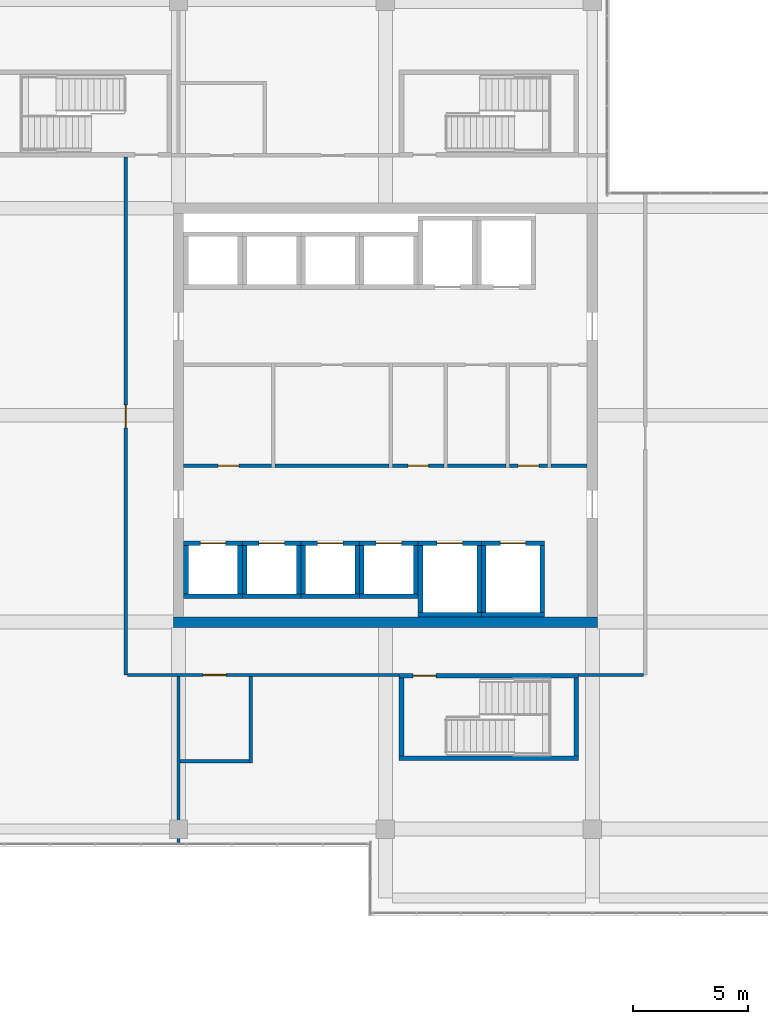
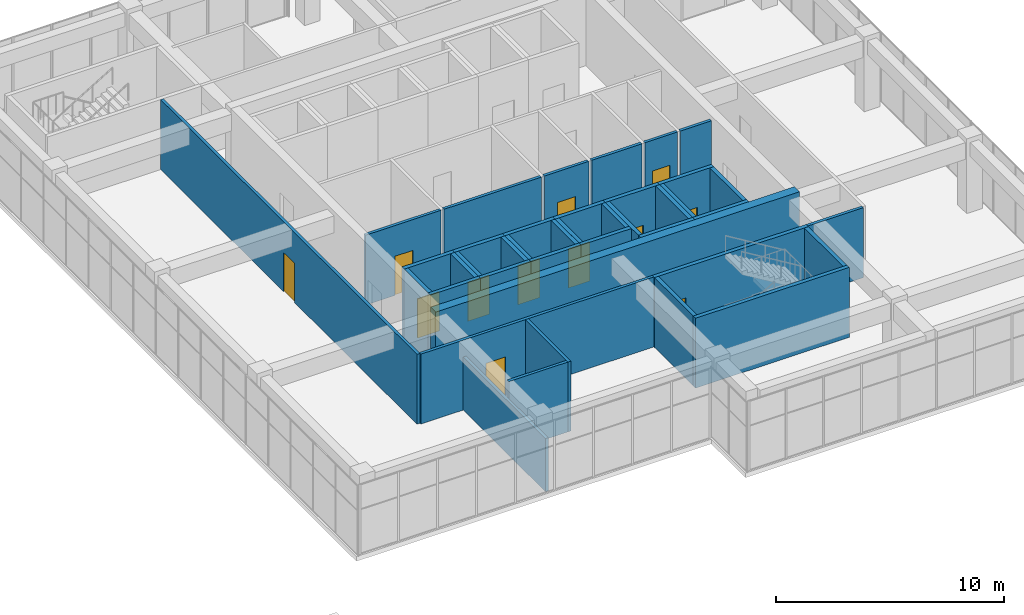
# One storey, part 49 of 55: 41 walls, 12 doors, 12 openings.
"""IFC4 building model written with IfcOpenShell, lengths in metres."""

import ifcopenshell
import ifcopenshell.guid

model = None  # the IFC model being written
_history = None  # IfcOwnerHistory: only IFC2X3 demands one
_inside = {}  # id of a spatial element -> (the spatial element, [elements in it])
_under = {}  # id of a project, library or spatial element -> (it, [spatial elements below it])
_declared = {}  # id of a project -> (the project, [libraries it declares])
_typed = {}  # id of a type object -> (the type object, [elements of that type])
_made_of = {}  # id of a material, layer set ... -> (it, [elements and type objects made of it])


def new_model(schema):
    """Start an empty IFC model of exactly this schema.

    Asked for "IFC4X3", IfcOpenShell would pick the latest addendum, in which some entities
    have other attributes; the version numbers below select the first issue.
    IFC2X3 requires an IfcOwnerHistory on every rooted entity: one is made here for all.
    """
    global model, _history
    if schema == "IFC4X3":
        model = ifcopenshell.file(schema_version=(4, 3, 0, 0))
    else:
        model = ifcopenshell.file(schema=schema)
    _inside.clear()
    _under.clear()
    _declared.clear()
    _typed.clear()
    _made_of.clear()
    _history = None
    if model.schema == "IFC2X3":
        org = make("IfcOrganization", Name="unknown")
        user = make(
            "IfcPersonAndOrganization",
            ThePerson=make("IfcPerson", FamilyName="unknown"),
            TheOrganization=org,
        )
        app = make(
            "IfcApplication",
            ApplicationDeveloper=org,
            Version="unknown",
            ApplicationFullName="unknown",
            ApplicationIdentifier="unknown",
        )
        _history = make(
            "IfcOwnerHistory",
            OwningUser=user,
            OwningApplication=app,
            ChangeAction="ADDED",
            CreationDate=0,
        )
    return model


def make(cls, **values):
    """One entity of the class cls with the attributes given. An attribute that is None is left unset."""
    return model.create_entity(
        cls, **{name: value for name, value in values.items() if value is not None}
    )


def rooted(cls, **values):
    """An entity with a GlobalId (a new one), such as an element, a storey or a relation."""
    return make(cls, GlobalId=ifcopenshell.guid.new(), OwnerHistory=_history, **values)


def si_unit(unit_type, name, prefix=None):
    """IfcSIUnit, for example si_unit("LENGTHUNIT", "METRE", prefix="MILLI")."""
    return make("IfcSIUnit", UnitType=unit_type, Prefix=prefix, Name=name)


def assignment(units):
    """IfcUnitAssignment: the units of a project."""
    return None if units is None else make("IfcUnitAssignment", Units=units)


def point(xyz):
    """IfcCartesianPoint."""
    return None if xyz is None else make("IfcCartesianPoint", Coordinates=xyz)


def direction(xyz):
    """IfcDirection."""
    return None if xyz is None else make("IfcDirection", DirectionRatios=xyz)


def frame(location, z_axis=None, x_axis=None):
    """IfcAxis2Placement3D, a coordinate frame: its origin and axes. An axis left out is left unset."""
    return make(
        "IfcAxis2Placement3D",
        Location=point(location),
        Axis=direction(z_axis),
        RefDirection=direction(x_axis),
    )


def frame_2d(location, x_axis=None):
    """IfcAxis2Placement2D, a coordinate frame in the plane: its origin and x axis."""
    return make(
        "IfcAxis2Placement2D", Location=point(location), RefDirection=direction(x_axis)
    )


def origin():
    """The frame at (0, 0, 0) with its axes left unset."""
    return frame((0.0, 0.0, 0.0))


def place(relative_to, where):
    """IfcLocalPlacement: puts the frame where relative to a parent placement (None: the world)."""
    return make(
        "IfcLocalPlacement", PlacementRelTo=relative_to, RelativePlacement=where
    )


def context(
    kind, dimensions, precision=None, world=None, true_north=None, identifier=None
):
    """IfcGeometricRepresentationContext, for example the 3D "Model" context."""
    return make(
        "IfcGeometricRepresentationContext",
        ContextIdentifier=identifier,
        ContextType=kind,
        CoordinateSpaceDimension=dimensions,
        Precision=precision,
        WorldCoordinateSystem=world,
        TrueNorth=true_north,
    )


def subcontext(parent, identifier, kind, view, scale=None):
    """IfcGeometricRepresentationSubContext, for example "Body" below "Model"."""
    return make(
        "IfcGeometricRepresentationSubContext",
        ContextIdentifier=identifier,
        ContextType=kind,
        ParentContext=parent,
        TargetScale=scale,
        TargetView=view,
    )


def project(units=None, contexts=None):
    """IfcProject with its units and contexts."""
    return rooted(
        "IfcProject",
        Name="project",
        RepresentationContexts=contexts,
        UnitsInContext=assignment(units),
    )


def spatial(cls, under=None, at=None, **own):
    """A site, building, storey or space (cls), placed at a placement, below another one or the project."""
    s = rooted(cls, ObjectPlacement=at, **own)
    if under is not None:
        _under.setdefault(under.id(), (under, []))[1].append(s)
    return s


def profile(cls, at=None, kind="AREA", **sizes):
    """A parametric profile (cls). Its sizes go by their IFC names, for example OverallWidth=200.0."""
    return make(cls, ProfileType=kind, Position=at, **sizes)


def rectangle(**sizes):
    """IfcRectangleProfileDef."""
    return profile("IfcRectangleProfileDef", **sizes)


def extrude(swept, where, along, depth):
    """IfcExtrudedAreaSolid: the profile swept, set in the frame where, extruded along a direction by depth."""
    return make(
        "IfcExtrudedAreaSolid",
        SweptArea=swept,
        Position=where,
        ExtrudedDirection=direction(along),
        Depth=depth,
    )


def shape(context_of_items, identifier, shape_type, items):
    """IfcShapeRepresentation: the items that make up one representation, for example the "Body"."""
    return make(
        "IfcShapeRepresentation",
        ContextOfItems=context_of_items,
        RepresentationIdentifier=identifier,
        RepresentationType=shape_type,
        Items=items,
    )


def material(Name=None, Category=None):
    """IfcMaterial."""
    return make("IfcMaterial", Name=Name, Category=Category)


def layer(
    of_material, thickness, ventilated=None, Name=None, Category=None, Priority=None
):
    """IfcMaterialLayer: one layer of a wall or slab, of a material (None: an air gap)."""
    return make(
        "IfcMaterialLayer",
        Material=of_material,
        LayerThickness=thickness,
        IsVentilated=ventilated,
        Name=Name,
        Category=Category,
        Priority=Priority,
    )


def layer_set(layers, Name=None):
    """IfcMaterialLayerSet."""
    return make("IfcMaterialLayerSet", MaterialLayers=layers, LayerSetName=Name)


def made_of(thing, what):
    """Note that an element or type object is made of a material, layer set ...; save() writes the relation."""
    if what is not None:
        _made_of.setdefault(what.id(), (what, []))[1].append(thing)
    return thing


def type_object(cls, material=None, **own):
    """A type object (cls), such as IfcWallType, which elements share."""
    return made_of(rooted(cls, **own), material)


def element(
    cls,
    number,
    at=None,
    inside=None,
    cuts=None,
    type_object=None,
    material=None,
    context=None,
    identifier="Body",
    shape_type=None,
    held_by="IfcProductDefinitionShape",
    body=None,
    shapes=None,
    **own,
):
    """One element of the class cls, such as IfcWall. Its Tag is "e" and its number.

    at: its placement. inside: the storey or other place that contains it. cuts: it is an
    opening in that element (IfcRelVoidsElement). A single representation is given by context,
    identifier, shape_type and body (its items); several are given by shapes. held_by: the class
    of the entity that holds the representations. save() writes the other relations.
    """
    e = rooted(cls, Tag="e%d" % number, ObjectPlacement=at, **own)
    if body is not None:
        shapes = [shape(context, identifier, shape_type, body)]
    if shapes is not None:
        e.Representation = make(held_by, Representations=shapes)
    if inside is not None:
        _inside.setdefault(inside.id(), (inside, []))[1].append(e)
    if cuts is not None:
        rooted(
            "IfcRelVoidsElement", RelatingBuildingElement=cuts, RelatedOpeningElement=e
        )
    if type_object is not None:
        _typed.setdefault(type_object.id(), (type_object, []))[1].append(e)
    return made_of(e, material)


def fill(opening, filler):
    """IfcRelFillsElement: the door or window that sits in an opening."""
    return rooted(
        "IfcRelFillsElement",
        RelatingOpeningElement=opening,
        RelatedBuildingElement=filler,
    )


def aggregate(whole, parts):
    """IfcRelAggregates: a whole, such as a stair, and the parts it consists of."""
    return rooted("IfcRelAggregates", RelatingObject=whole, RelatedObjects=parts)


def save(model, path):
    """Write the relations noted so far, then the file.

    IfcRelAggregates (storeys below a building ...), IfcRelContainedInSpatialStructure (elements
    in a storey), IfcRelDefinesByType, IfcRelAssociatesMaterial and IfcRelDeclares: one each for
    every whole, place, type object, material and project.
    """
    for whole, parts in _under.values():
        aggregate(whole, parts)
    for where, things in _inside.values():
        rooted(
            "IfcRelContainedInSpatialStructure",
            RelatedElements=things,
            RelatingStructure=where,
        )
    for kind, things in _typed.values():
        rooted("IfcRelDefinesByType", RelatedObjects=things, RelatingType=kind)
    for what, things in _made_of.values():
        rooted("IfcRelAssociatesMaterial", RelatedObjects=things, RelatingMaterial=what)
    for by, libraries in _declared.values():
        rooted("IfcRelDeclares", RelatingContext=by, RelatedDefinitions=libraries)
    model.write(path)


model = new_model("IFC4")

# Units and contexts
model_context = context("Model", 3, precision=1e-05, world=origin(), true_north=direction((0.0, 1.0)))
body_context = subcontext(model_context, "Body", "Model", "MODEL_VIEW")
ifc_project = project(units=[si_unit("LENGTHUNIT", "METRE"), si_unit("AREAUNIT", "SQUARE_METRE"), si_unit("VOLUMEUNIT", "CUBIC_METRE"), si_unit("PLANEANGLEUNIT", "RADIAN"), si_unit("MASSUNIT", "GRAM", prefix="KILO")], contexts=[model_context])

# Site, building, storey
site_placement = place(None, origin())
site = spatial("IfcSite", under=ifc_project, at=site_placement, CompositionType="ELEMENT")
building_placement = place(site_placement, origin())
building = spatial("IfcBuilding", under=site, at=building_placement, Name="Tuart Plaza Theatre", CompositionType="ELEMENT")
storey_placement = place(building_placement, frame((0.0, 0.0, 21.5)))
storey = spatial("IfcBuildingStorey", under=building, at=storey_placement, Name="L05", CompositionType="ELEMENT", Elevation=21.5)

# Wall, opening, door
ifc_material_1 = material(Name="Masonry block", Category="masonry")
ifc_layer_1 = layer(ifc_material_1, 0.14990234375)
ifc_layer_set_1 = layer_set([ifc_layer_1], Name="PARTITION BLK150 MASONRYB FRL -/120/120")
wall_type_1 = type_object("IfcWallType", Name="PARTITION BLK150 MASONRYB FRL -/120/120", PredefinedType="PARTITIONING", material=ifc_layer_set_1)
wall_1_placement = place(storey_placement, frame((123.22509765625, 71.800048828125, 0.0), z_axis=(0.0, 0.0, 1.0), x_axis=(1.0, 0.0, 0.0)))
wall_1 = element("IfcWall", 1, at=wall_1_placement, inside=storey, type_object=wall_type_1, Name="P608", PredefinedType="PARTITIONING", context=body_context, shape_type="SweptSolid", body=[
    extrude(rectangle(XDim=3.824951171875, YDim=0.14990234375, at=frame_2d((1.91259765625, 0.0))), origin(), (0.0, 0.0, 1.0), 3.75),
])
opening_1_placement = place(wall_1_placement, frame((1.5, 0.0, 0.0)))
opening_1 = element("IfcOpeningElement", 2, at=opening_1_placement, cuts=wall_1, Name="Opening L05-018", PredefinedType="OPENING", context=body_context, shape_type="SweptSolid", body=[
    extrude(rectangle(XDim=0.89990234375, YDim=2.10009765625, at=frame_2d((0.449951171875, 1.050048828125))), frame((0.0, 0.0849609375, 0.0), z_axis=(0.0, -1.0, 0.0), x_axis=(1.0, 0.0, 0.0)), (0.0, 0.0, 1.0), 0.169921875),
])
ifc_material_2 = material(Name="Steel Grade 300", Category="steel")
door_type_1 = type_object("IfcDoorType", Name="DOOR 900x2100 steel single swing FRL -/120/30", OperationType="SINGLE_SWING_LEFT", PredefinedType="DOOR", material=ifc_material_2)
door_1_placement = place(opening_1_placement, origin())
door_1 = element("IfcDoor", 3, at=door_1_placement, inside=storey, type_object=door_type_1, Name="L05-018", OperationType="SINGLE_SWING_LEFT", OverallHeight=2.10009765625, OverallWidth=0.89990234375, PredefinedType="DOOR", context=body_context, shape_type="SweptSolid", body=[
    extrude(rectangle(XDim=0.89990234375, YDim=2.10009765625, at=frame_2d((0.449951171875, 1.050048828125))), frame((0.0, 0.02490234375, 0.0), z_axis=(0.0, -1.0, 0.0), x_axis=(1.0, 0.0, 0.0)), (0.0, 0.0, 1.0), 0.050048828125),
])
fill(opening_1, door_1)

# Wall
wall_2_placement = place(storey_placement, frame((127.199951171875, 71.800048828125, 0.0), z_axis=(0.0, 0.0, 1.0), x_axis=(1.0, 0.0, 0.0)))
element("IfcWall", 4, at=wall_2_placement, inside=storey, type_object=wall_type_1, Name="P611", PredefinedType="PARTITIONING", context=body_context, shape_type="SweptSolid", body=[
    extrude(rectangle(XDim=4.949951171875, YDim=0.14990234375, at=frame_2d((2.47509765625, 0.0))), origin(), (0.0, 0.0, 1.0), 3.75),
])

# Wall, opening, door
wall_3_placement = place(storey_placement, frame((132.300048828125, 71.800048828125, 0.0), z_axis=(0.0, 0.0, 1.0), x_axis=(1.0, 0.0, 0.0)))
wall_3 = element("IfcWall", 5, at=wall_3_placement, inside=storey, type_object=wall_type_1, Name="P614", PredefinedType="PARTITIONING", context=body_context, shape_type="SweptSolid", body=[
    extrude(rectangle(XDim=2.25, YDim=0.14990234375, at=frame_2d((1.125, 0.0))), origin(), (0.0, 0.0, 1.0), 3.75),
])
opening_2_placement = place(wall_3_placement, frame((0.675048828125, 0.0, 0.0)))
opening_2 = element("IfcOpeningElement", 6, at=opening_2_placement, cuts=wall_3, Name="Opening L05-020", PredefinedType="OPENING", context=body_context, shape_type="SweptSolid", body=[
    extrude(rectangle(XDim=0.89990234375, YDim=2.10009765625, at=frame_2d((0.449951171875, 1.050048828125))), frame((0.0, 0.0849609375, 0.0), z_axis=(0.0, -1.0, 0.0), x_axis=(1.0, 0.0, 0.0)), (0.0, 0.0, 1.0), 0.169921875),
])
door_2_placement = place(opening_2_placement, origin())
door_2 = element("IfcDoor", 7, at=door_2_placement, inside=storey, type_object=door_type_1, Name="L05-020", OperationType="SINGLE_SWING_LEFT", OverallHeight=2.10009765625, OverallWidth=0.89990234375, PredefinedType="DOOR", context=body_context, shape_type="SweptSolid", body=[
    extrude(rectangle(XDim=0.89990234375, YDim=2.10009765625, at=frame_2d((0.449951171875, 1.050048828125))), frame((0.0, 0.02490234375, 0.0), z_axis=(0.0, -1.0, 0.0), x_axis=(1.0, 0.0, 0.0)), (0.0, 0.0, 1.0), 0.050048828125),
])
fill(opening_2, door_2)

# Wall
wall_4_placement = place(storey_placement, frame((134.699951171875, 71.800048828125, 0.0), z_axis=(0.0, 0.0, 1.0), x_axis=(1.0, 0.0, 0.0)))
element("IfcWall", 8, at=wall_4_placement, inside=storey, type_object=wall_type_1, Name="P617", PredefinedType="PARTITIONING", context=body_context, shape_type="SweptSolid", body=[
    extrude(rectangle(XDim=2.550048828125, YDim=0.14990234375, at=frame_2d((1.27490234375, 0.0))), origin(), (0.0, 0.0, 1.0), 3.75),
])

# Wall, opening, door
wall_5_placement = place(storey_placement, frame((137.39990234375, 71.800048828125, 0.0), z_axis=(0.0, 0.0, 1.0), x_axis=(1.0, 0.0, 0.0)))
wall_5 = element("IfcWall", 9, at=wall_5_placement, inside=storey, type_object=wall_type_1, Name="P620", PredefinedType="PARTITIONING", context=body_context, shape_type="SweptSolid", body=[
    extrude(rectangle(XDim=1.650146484375, YDim=0.14990234375, at=frame_2d((0.8251953125, 0.0))), origin(), (0.0, 0.0, 1.0), 3.75),
])
opening_3_placement = place(wall_5_placement, frame((0.375, 0.0, 0.0)))
opening_3 = element("IfcOpeningElement", 10, at=opening_3_placement, cuts=wall_5, Name="Opening L05-022", PredefinedType="OPENING", context=body_context, shape_type="SweptSolid", body=[
    extrude(rectangle(XDim=0.89990234375, YDim=2.10009765625, at=frame_2d((0.449951171875, 1.050048828125))), frame((0.0, 0.0849609375, 0.0), z_axis=(0.0, -1.0, 0.0), x_axis=(1.0, 0.0, 0.0)), (0.0, 0.0, 1.0), 0.169921875),
])
door_3_placement = place(opening_3_placement, origin())
door_3 = element("IfcDoor", 11, at=door_3_placement, inside=storey, type_object=door_type_1, Name="L05-022", OperationType="SINGLE_SWING_LEFT", OverallHeight=2.10009765625, OverallWidth=0.89990234375, PredefinedType="DOOR", context=body_context, shape_type="SweptSolid", body=[
    extrude(rectangle(XDim=0.89990234375, YDim=2.10009765625, at=frame_2d((0.449951171875, 1.050048828125))), frame((0.0, 0.02490234375, 0.0), z_axis=(0.0, -1.0, 0.0), x_axis=(1.0, 0.0, 0.0)), (0.0, 0.0, 1.0), 0.050048828125),
])
fill(opening_3, door_3)

# Wall
wall_6_placement = place(storey_placement, frame((139.199951171875, 71.800048828125, 0.0), z_axis=(0.0, 0.0, 1.0), x_axis=(1.0, 0.0, 0.0)))
element("IfcWall", 12, at=wall_6_placement, inside=storey, type_object=wall_type_1, Name="P622", PredefinedType="PARTITIONING", context=body_context, shape_type="SweptSolid", body=[
    extrude(rectangle(XDim=1.574951171875, YDim=0.14990234375, at=frame_2d((0.78759765625, 0.0))), origin(), (0.0, 0.0, 1.0), 3.75),
])

# Wall, opening, door
ifc_material_3 = material(Name="Masonry block", Category="masonry")
ifc_layer_2 = layer(ifc_material_3, 0.14990234375)
ifc_layer_set_2 = layer_set([ifc_layer_2], Name="PARTITION BLK150 MASONRYB FRL 120/-/-")
wall_type_2 = type_object("IfcWallType", Name="PARTITION BLK150 MASONRYB FRL 120/-/-", PredefinedType="PARTITIONING", material=ifc_layer_set_2)
wall_7_placement = place(storey_placement, frame((120.699951171875, 62.699951171875, 0.0), z_axis=(0.0, 0.0, 1.0), x_axis=(0.0, 1.0, 0.0)))
wall_7 = element("IfcWall", 13, at=wall_7_placement, inside=storey, type_object=wall_type_2, Name="P624", PredefinedType="PARTITIONING", context=body_context, shape_type="SweptSolid", body=[
    extrude(rectangle(XDim=22.525146484375, YDim=0.14990234375, at=frame_2d((11.2626953125, 0.0))), origin(), (0.0, 0.0, 1.0), 3.75),
])
opening_4_placement = place(wall_7_placement, frame((10.74755859375, 0.0, 0.0)))
opening_4 = element("IfcOpeningElement", 14, at=opening_4_placement, cuts=wall_7, Name="Opening L05-027", PredefinedType="OPENING", context=body_context, shape_type="SweptSolid", body=[
    extrude(rectangle(XDim=1.0, YDim=2.10009765625, at=frame_2d((0.5, 1.050048828125))), frame((0.0, 0.0849609375, 0.0), z_axis=(0.0, -1.0, 0.0), x_axis=(1.0, 0.0, 0.0)), (0.0, 0.0, 1.0), 0.169921875),
])
ifc_material_4 = material(Name="Timber", Category="wood")
door_type_2 = type_object("IfcDoorType", Name="DOOR 1000x2100 timber single swing FRL -/60/30", OperationType="SINGLE_SWING_LEFT", PredefinedType="DOOR", material=ifc_material_4)
door_4_placement = place(opening_4_placement, origin())
door_4 = element("IfcDoor", 15, at=door_4_placement, inside=storey, type_object=door_type_2, Name="L05-027", OperationType="SINGLE_SWING_RIGHT", OverallHeight=2.10009765625, OverallWidth=1.0, PredefinedType="DOOR", context=body_context, shape_type="SweptSolid", body=[
    extrude(rectangle(XDim=1.0, YDim=2.10009765625, at=frame_2d((0.5, 1.050048828125))), frame((0.0, 0.02490234375, 0.0), z_axis=(0.0, -1.0, 0.0), x_axis=(1.0, 0.0, 0.0)), (0.0, 0.0, 1.0), 0.050048828125),
])
fill(opening_4, door_4)

wall_8_placement = place(storey_placement, frame((132.60009765625, 62.699951171875, 0.0), z_axis=(0.0, 0.0, 1.0), x_axis=(-1.0, 0.0, 0.0)))
wall_8 = element("IfcWall", 16, at=wall_8_placement, inside=storey, type_object=wall_type_2, Name="P625", PredefinedType="PARTITIONING", context=body_context, shape_type="SweptSolid", body=[
    extrude(rectangle(XDim=11.8251953125, YDim=0.14990234375, at=frame_2d((5.91259765625, 0.0))), origin(), (0.0, 0.0, 1.0), 3.75),
])
opening_5_placement = place(wall_8_placement, frame((7.52490234375, 0.0, 0.0)))
opening_5 = element("IfcOpeningElement", 17, at=opening_5_placement, cuts=wall_8, Name="Opening L05-024", PredefinedType="OPENING", context=body_context, shape_type="SweptSolid", body=[
    extrude(rectangle(XDim=1.0, YDim=2.10009765625, at=frame_2d((0.5, 1.050048828125))), frame((0.0, 0.0849609375, 0.0), z_axis=(0.0, -1.0, 0.0), x_axis=(1.0, 0.0, 0.0)), (0.0, 0.0, 1.0), 0.169921875),
])
door_5_placement = place(opening_5_placement, origin())
door_5 = element("IfcDoor", 18, at=door_5_placement, inside=storey, type_object=door_type_2, Name="L05-024", OperationType="SINGLE_SWING_LEFT", OverallHeight=2.10009765625, OverallWidth=1.0, PredefinedType="DOOR", context=body_context, shape_type="SweptSolid", body=[
    extrude(rectangle(XDim=1.0, YDim=2.10009765625, at=frame_2d((0.5, 1.050048828125))), frame((0.0, 0.02490234375, 0.0), z_axis=(0.0, -1.0, 0.0), x_axis=(1.0, 0.0, 0.0)), (0.0, 0.0, 1.0), 0.050048828125),
])
fill(opening_5, door_5)

# Walls
wall_9_placement = place(storey_placement, frame((143.22509765625, 62.699951171875, 0.0), z_axis=(0.0, 0.0, 1.0), x_axis=(-1.0, 0.0, 0.0)))
element("IfcWall", 19, at=wall_9_placement, inside=storey, type_object=wall_type_2, Name="P626", PredefinedType="PARTITIONING", context=body_context, shape_type="SweptSolid", body=[
    extrude(rectangle(XDim=2.8251953125, YDim=0.14990234375, at=frame_2d((1.41259765625, 0.0))), origin(), (0.0, 0.0, 1.0), 3.75),
])
wall_10_placement = place(storey_placement, frame((123.0, 55.39990234375, 0.0), z_axis=(0.0, 0.0, 1.0), x_axis=(0.0, 1.0, 0.0)))
element("IfcWall", 20, at=wall_10_placement, inside=storey, type_object=wall_type_2, Name="P630", PredefinedType="PARTITIONING", context=body_context, shape_type="SweptSolid", body=[
    extrude(rectangle(XDim=7.22607421875, YDim=0.14990234375, at=frame_2d((3.613037109375, 0.0))), origin(), (0.0, 0.0, 1.0), 2.85009765625),
])
wall_11_placement = place(storey_placement, frame((123.074951171875, 58.949951171875, 0.0), z_axis=(0.0, 0.0, 1.0), x_axis=(1.0, 0.0, 0.0)))
element("IfcWall", 21, at=wall_11_placement, inside=storey, type_object=wall_type_2, Name="P632", PredefinedType="PARTITIONING", context=body_context, shape_type="SweptSolid", body=[
    extrude(rectangle(XDim=3.0, YDim=0.14990234375, at=frame_2d((1.5, 0.0))), origin(), (0.0, 0.0, 1.0), 3.75),
])
wall_12_placement = place(storey_placement, frame((126.14990234375, 62.625, 0.0), z_axis=(0.0, 0.0, 1.0), x_axis=(0.0, -1.0, 0.0)))
element("IfcWall", 22, at=wall_12_placement, inside=storey, type_object=wall_type_2, Name="P633", PredefinedType="PARTITIONING", context=body_context, shape_type="SweptSolid", body=[
    extrude(rectangle(XDim=3.75, YDim=0.14990234375, at=frame_2d((1.875, 0.0))), origin(), (0.0, 0.0, 1.0), 3.75),
])
ifc_material_5 = material(Name="Concrete N40 (40 MPa)", Category="concrete")
ifc_layer_3 = layer(ifc_material_5, 0.199951171875)
ifc_layer_set_3 = layer_set([ifc_layer_3], Name="SHEAR WALL RC200 FRL 120/120/120")
wall_type_3 = type_object("IfcWallType", Name="SHEAR WALL RC200 FRL 120/120/120", PredefinedType="SHEAR", material=ifc_layer_set_3)
wall_13_placement = place(storey_placement, frame((123.22509765625, 66.125, 0.0), z_axis=(0.0, 0.0, 1.0), x_axis=(1.0, 0.0, 0.0)))
element("IfcWall", 23, at=wall_13_placement, inside=storey, type_object=wall_type_3, Name="W570", PredefinedType="SHEAR", context=body_context, shape_type="SweptSolid", body=[
    extrude(rectangle(XDim=2.5498046875, YDim=0.199951171875, at=frame_2d((1.27490234375, 0.0))), origin(), (0.0, 0.0, 1.0), 4.0),
])
wall_14_placement = place(storey_placement, frame((125.675048828125, 66.22509765625, 0.0), z_axis=(0.0, 0.0, 1.0), x_axis=(0.0, 1.0, 0.0)))
element("IfcWall", 24, at=wall_14_placement, inside=storey, type_object=wall_type_3, Name="W571", PredefinedType="SHEAR", context=body_context, shape_type="SweptSolid", body=[
    extrude(rectangle(XDim=2.099853515625, YDim=0.199951171875, at=frame_2d((1.0498046875, 0.0))), origin(), (0.0, 0.0, 1.0), 4.0),
])

# Wall, opening, door
wall_15_placement = place(storey_placement, frame((125.77490234375, 68.425048828125, 0.0), z_axis=(0.0, 0.0, 1.0), x_axis=(-1.0, 0.0, 0.0)))
wall_15 = element("IfcWall", 25, at=wall_15_placement, inside=storey, type_object=wall_type_3, Name="W572", PredefinedType="SHEAR", context=body_context, shape_type="SweptSolid", body=[
    extrude(rectangle(XDim=2.5498046875, YDim=0.199951171875, at=frame_2d((1.27490234375, 0.0))), origin(), (0.0, 0.0, 1.0), 4.0),
])
opening_6_placement = place(wall_15_placement, frame((0.72509765625, 0.0, 0.0)))
opening_6 = element("IfcOpeningElement", 26, at=opening_6_placement, cuts=wall_15, Name="Opening L05-003", PredefinedType="OPENING", context=body_context, shape_type="SweptSolid", body=[
    extrude(rectangle(XDim=1.10009765625, YDim=2.10009765625, at=frame_2d((0.550048828125, 1.050048828125))), frame((0.0, 0.10986328125, 0.0), z_axis=(0.0, -1.0, 0.0), x_axis=(1.0, 0.0, 0.0)), (0.0, 0.0, 1.0), 0.219970703125),
])
ifc_material_6 = material(Name="Steel Grade 300", Category="steel")
door_type_3 = type_object("IfcDoorType", Name="LANDING DOOR 1100x2100 steel sliding FRL -/120/30", OperationType="SLIDING_TO_LEFT", PredefinedType="DOOR", material=ifc_material_6)
door_6_placement = place(opening_6_placement, origin())
door_6 = element("IfcDoor", 27, at=door_6_placement, inside=storey, type_object=door_type_3, Name="L05-003", OperationType="SLIDING_TO_LEFT", OverallHeight=2.10009765625, OverallWidth=1.10009765625, PredefinedType="DOOR", context=body_context, shape_type="SweptSolid", body=[
    extrude(rectangle(XDim=1.10009765625, YDim=2.10009765625, at=frame_2d((0.550048828125, 1.050048828125))), frame((0.0, 0.02490234375, 0.0), z_axis=(0.0, -1.0, 0.0), x_axis=(1.0, 0.0, 0.0)), (0.0, 0.0, 1.0), 0.050048828125),
])
fill(opening_6, door_6)

# Walls
wall_16_placement = place(storey_placement, frame((123.324951171875, 68.324951171875, 0.0), z_axis=(0.0, 0.0, 1.0), x_axis=(0.0, -1.0, 0.0)))
element("IfcWall", 28, at=wall_16_placement, inside=storey, type_object=wall_type_3, Name="W573", PredefinedType="SHEAR", context=body_context, shape_type="SweptSolid", body=[
    extrude(rectangle(XDim=2.099853515625, YDim=0.199951171875, at=frame_2d((1.0498046875, 0.0))), origin(), (0.0, 0.0, 1.0), 4.0),
])
wall_17_placement = place(storey_placement, frame((125.77490234375, 66.125, 0.0), z_axis=(0.0, 0.0, 1.0), x_axis=(1.0, 0.0, 0.0)))
element("IfcWall", 29, at=wall_17_placement, inside=storey, type_object=wall_type_3, Name="W614", PredefinedType="SHEAR", context=body_context, shape_type="SweptSolid", body=[
    extrude(rectangle(XDim=2.550048828125, YDim=0.199951171875, at=frame_2d((1.27490234375, 0.0))), origin(), (0.0, 0.0, 1.0), 4.0),
])
wall_18_placement = place(storey_placement, frame((128.22509765625, 66.22509765625, 0.0), z_axis=(0.0, 0.0, 1.0), x_axis=(0.0, 1.0, 0.0)))
element("IfcWall", 30, at=wall_18_placement, inside=storey, type_object=wall_type_3, Name="W615", PredefinedType="SHEAR", context=body_context, shape_type="SweptSolid", body=[
    extrude(rectangle(XDim=2.099853515625, YDim=0.199951171875, at=frame_2d((1.0498046875, 0.0))), origin(), (0.0, 0.0, 1.0), 4.0),
])

# Wall, opening, door
wall_19_placement = place(storey_placement, frame((128.324951171875, 68.425048828125, 0.0), z_axis=(0.0, 0.0, 1.0), x_axis=(-1.0, 0.0, 0.0)))
wall_19 = element("IfcWall", 31, at=wall_19_placement, inside=storey, type_object=wall_type_3, Name="W616", PredefinedType="SHEAR", context=body_context, shape_type="SweptSolid", body=[
    extrude(rectangle(XDim=2.550048828125, YDim=0.199951171875, at=frame_2d((1.27490234375, 0.0))), origin(), (0.0, 0.0, 1.0), 4.0),
])
opening_7_placement = place(wall_19_placement, frame((0.72509765625, 0.0, 0.0)))
opening_7 = element("IfcOpeningElement", 32, at=opening_7_placement, cuts=wall_19, Name="Opening L05-004", PredefinedType="OPENING", context=body_context, shape_type="SweptSolid", body=[
    extrude(rectangle(XDim=1.10009765625, YDim=2.10009765625, at=frame_2d((0.550048828125, 1.050048828125))), frame((0.0, 0.10986328125, 0.0), z_axis=(0.0, -1.0, 0.0), x_axis=(1.0, 0.0, 0.0)), (0.0, 0.0, 1.0), 0.219970703125),
])
door_7_placement = place(opening_7_placement, origin())
door_7 = element("IfcDoor", 33, at=door_7_placement, inside=storey, type_object=door_type_3, Name="L05-004", OperationType="SLIDING_TO_LEFT", OverallHeight=2.10009765625, OverallWidth=1.10009765625, PredefinedType="DOOR", context=body_context, shape_type="SweptSolid", body=[
    extrude(rectangle(XDim=1.10009765625, YDim=2.10009765625, at=frame_2d((0.550048828125, 1.050048828125))), frame((0.0, 0.02490234375, 0.0), z_axis=(0.0, -1.0, 0.0), x_axis=(1.0, 0.0, 0.0)), (0.0, 0.0, 1.0), 0.050048828125),
])
fill(opening_7, door_7)

# Walls
wall_20_placement = place(storey_placement, frame((125.875, 68.324951171875, 0.0), z_axis=(0.0, 0.0, 1.0), x_axis=(0.0, -1.0, 0.0)))
element("IfcWall", 34, at=wall_20_placement, inside=storey, type_object=wall_type_3, Name="W617", PredefinedType="SHEAR", context=body_context, shape_type="SweptSolid", body=[
    extrude(rectangle(XDim=2.099853515625, YDim=0.199951171875, at=frame_2d((1.0498046875, 0.0))), origin(), (0.0, 0.0, 1.0), 4.0),
])
wall_21_placement = place(storey_placement, frame((128.324951171875, 66.125, 0.0), z_axis=(0.0, 0.0, 1.0), x_axis=(1.0, 0.0, 0.0)))
element("IfcWall", 35, at=wall_21_placement, inside=storey, type_object=wall_type_3, Name="W658", PredefinedType="SHEAR", context=body_context, shape_type="SweptSolid", body=[
    extrude(rectangle(XDim=2.550048828125, YDim=0.199951171875, at=frame_2d((1.27490234375, 0.0))), origin(), (0.0, 0.0, 1.0), 4.0),
])
wall_22_placement = place(storey_placement, frame((130.77490234375, 66.22509765625, 0.0), z_axis=(0.0, 0.0, 1.0), x_axis=(0.0, 1.0, 0.0)))
element("IfcWall", 36, at=wall_22_placement, inside=storey, type_object=wall_type_3, Name="W659", PredefinedType="SHEAR", context=body_context, shape_type="SweptSolid", body=[
    extrude(rectangle(XDim=2.099853515625, YDim=0.199951171875, at=frame_2d((1.0498046875, 0.0))), origin(), (0.0, 0.0, 1.0), 4.0),
])

# Wall, opening, door
wall_23_placement = place(storey_placement, frame((130.875, 68.425048828125, 0.0), z_axis=(0.0, 0.0, 1.0), x_axis=(-1.0, 0.0, 0.0)))
wall_23 = element("IfcWall", 37, at=wall_23_placement, inside=storey, type_object=wall_type_3, Name="W660", PredefinedType="SHEAR", context=body_context, shape_type="SweptSolid", body=[
    extrude(rectangle(XDim=2.550048828125, YDim=0.199951171875, at=frame_2d((1.27490234375, 0.0))), origin(), (0.0, 0.0, 1.0), 4.0),
])
opening_8_placement = place(wall_23_placement, frame((0.72509765625, 0.0, 0.0)))
opening_8 = element("IfcOpeningElement", 38, at=opening_8_placement, cuts=wall_23, Name="Opening L05-005", PredefinedType="OPENING", context=body_context, shape_type="SweptSolid", body=[
    extrude(rectangle(XDim=1.10009765625, YDim=2.10009765625, at=frame_2d((0.550048828125, 1.050048828125))), frame((0.0, 0.10986328125, 0.0), z_axis=(0.0, -1.0, 0.0), x_axis=(1.0, 0.0, 0.0)), (0.0, 0.0, 1.0), 0.219970703125),
])
door_8_placement = place(opening_8_placement, origin())
door_8 = element("IfcDoor", 39, at=door_8_placement, inside=storey, type_object=door_type_3, Name="L05-005", OperationType="SLIDING_TO_LEFT", OverallHeight=2.10009765625, OverallWidth=1.10009765625, PredefinedType="DOOR", context=body_context, shape_type="SweptSolid", body=[
    extrude(rectangle(XDim=1.10009765625, YDim=2.10009765625, at=frame_2d((0.550048828125, 1.050048828125))), frame((0.0, 0.02490234375, 0.0), z_axis=(0.0, -1.0, 0.0), x_axis=(1.0, 0.0, 0.0)), (0.0, 0.0, 1.0), 0.050048828125),
])
fill(opening_8, door_8)

# Walls
wall_24_placement = place(storey_placement, frame((128.425048828125, 68.324951171875, 0.0), z_axis=(0.0, 0.0, 1.0), x_axis=(0.0, -1.0, 0.0)))
element("IfcWall", 40, at=wall_24_placement, inside=storey, type_object=wall_type_3, Name="W661", PredefinedType="SHEAR", context=body_context, shape_type="SweptSolid", body=[
    extrude(rectangle(XDim=2.099853515625, YDim=0.199951171875, at=frame_2d((1.0498046875, 0.0))), origin(), (0.0, 0.0, 1.0), 4.0),
])
wall_25_placement = place(storey_placement, frame((130.875, 66.125, 0.0), z_axis=(0.0, 0.0, 1.0), x_axis=(1.0, 0.0, 0.0)))
element("IfcWall", 41, at=wall_25_placement, inside=storey, type_object=wall_type_3, Name="W702", PredefinedType="SHEAR", context=body_context, shape_type="SweptSolid", body=[
    extrude(rectangle(XDim=2.550048828125, YDim=0.199951171875, at=frame_2d((1.27490234375, 0.0))), origin(), (0.0, 0.0, 1.0), 4.0),
])
wall_26_placement = place(storey_placement, frame((133.324951171875, 66.22509765625, 0.0), z_axis=(0.0, 0.0, 1.0), x_axis=(0.0, 1.0, 0.0)))
element("IfcWall", 42, at=wall_26_placement, inside=storey, type_object=wall_type_3, Name="W703", PredefinedType="SHEAR", context=body_context, shape_type="SweptSolid", body=[
    extrude(rectangle(XDim=2.099853515625, YDim=0.199951171875, at=frame_2d((1.0498046875, 0.0))), origin(), (0.0, 0.0, 1.0), 4.0),
])

# Wall, opening, door
wall_27_placement = place(storey_placement, frame((133.425048828125, 68.425048828125, 0.0), z_axis=(0.0, 0.0, 1.0), x_axis=(-1.0, 0.0, 0.0)))
wall_27 = element("IfcWall", 43, at=wall_27_placement, inside=storey, type_object=wall_type_3, Name="W704", PredefinedType="SHEAR", context=body_context, shape_type="SweptSolid", body=[
    extrude(rectangle(XDim=2.550048828125, YDim=0.199951171875, at=frame_2d((1.27490234375, 0.0))), origin(), (0.0, 0.0, 1.0), 4.0),
])
opening_9_placement = place(wall_27_placement, frame((0.72509765625, 0.0, 0.0)))
opening_9 = element("IfcOpeningElement", 44, at=opening_9_placement, cuts=wall_27, Name="Opening L05-006", PredefinedType="OPENING", context=body_context, shape_type="SweptSolid", body=[
    extrude(rectangle(XDim=1.10009765625, YDim=2.10009765625, at=frame_2d((0.550048828125, 1.050048828125))), frame((0.0, 0.10986328125, 0.0), z_axis=(0.0, -1.0, 0.0), x_axis=(1.0, 0.0, 0.0)), (0.0, 0.0, 1.0), 0.219970703125),
])
door_9_placement = place(opening_9_placement, origin())
door_9 = element("IfcDoor", 45, at=door_9_placement, inside=storey, type_object=door_type_3, Name="L05-006", OperationType="SLIDING_TO_LEFT", OverallHeight=2.10009765625, OverallWidth=1.10009765625, PredefinedType="DOOR", context=body_context, shape_type="SweptSolid", body=[
    extrude(rectangle(XDim=1.10009765625, YDim=2.10009765625, at=frame_2d((0.550048828125, 1.050048828125))), frame((0.0, 0.02490234375, 0.0), z_axis=(0.0, -1.0, 0.0), x_axis=(1.0, 0.0, 0.0)), (0.0, 0.0, 1.0), 0.050048828125),
])
fill(opening_9, door_9)

# Walls
wall_28_placement = place(storey_placement, frame((130.97509765625, 68.324951171875, 0.0), z_axis=(0.0, 0.0, 1.0), x_axis=(0.0, -1.0, 0.0)))
element("IfcWall", 46, at=wall_28_placement, inside=storey, type_object=wall_type_3, Name="W705", PredefinedType="SHEAR", context=body_context, shape_type="SweptSolid", body=[
    extrude(rectangle(XDim=2.099853515625, YDim=0.199951171875, at=frame_2d((1.0498046875, 0.0))), origin(), (0.0, 0.0, 1.0), 4.0),
])
wall_29_placement = place(storey_placement, frame((133.425048828125, 65.324951171875, 0.0), z_axis=(0.0, 0.0, 1.0), x_axis=(1.0, 0.0, 0.0)))
element("IfcWall", 47, at=wall_29_placement, inside=storey, type_object=wall_type_3, Name="W1034", PredefinedType="SHEAR", context=body_context, shape_type="SweptSolid", body=[
    extrude(rectangle(XDim=2.75, YDim=0.199951171875, at=frame_2d((1.375, 0.0))), origin(), (0.0, 0.0, 1.0), 4.0),
])
wall_30_placement = place(storey_placement, frame((136.074951171875, 65.425048828125, 0.0), z_axis=(0.0, 0.0, 1.0), x_axis=(0.0, 1.0, 0.0)))
element("IfcWall", 48, at=wall_30_placement, inside=storey, type_object=wall_type_3, Name="W1035", PredefinedType="SHEAR", context=body_context, shape_type="SweptSolid", body=[
    extrude(rectangle(XDim=2.89990234375, YDim=0.199951171875, at=frame_2d((1.449951171875, 0.0))), origin(), (0.0, 0.0, 1.0), 4.0),
])

# Wall, opening, door
wall_31_placement = place(storey_placement, frame((136.175048828125, 68.425048828125, 0.0), z_axis=(0.0, 0.0, 1.0), x_axis=(-1.0, 0.0, 0.0)))
wall_31 = element("IfcWall", 49, at=wall_31_placement, inside=storey, type_object=wall_type_3, Name="W1036", PredefinedType="SHEAR", context=body_context, shape_type="SweptSolid", body=[
    extrude(rectangle(XDim=2.75, YDim=0.199951171875, at=frame_2d((1.375, 0.0))), origin(), (0.0, 0.0, 1.0), 4.0),
])
opening_10_placement = place(wall_31_placement, frame((0.824951171875, 0.0, 0.0)))
opening_10 = element("IfcOpeningElement", 50, at=opening_10_placement, cuts=wall_31, Name="Opening L05-007", PredefinedType="OPENING", context=body_context, shape_type="SweptSolid", body=[
    extrude(rectangle(XDim=1.10009765625, YDim=2.10009765625, at=frame_2d((0.550048828125, 1.050048828125))), frame((0.0, 0.10986328125, 0.0), z_axis=(0.0, -1.0, 0.0), x_axis=(1.0, 0.0, 0.0)), (0.0, 0.0, 1.0), 0.219970703125),
])
door_10_placement = place(opening_10_placement, origin())
door_10 = element("IfcDoor", 51, at=door_10_placement, inside=storey, type_object=door_type_3, Name="L05-007", OperationType="SLIDING_TO_LEFT", OverallHeight=2.10009765625, OverallWidth=1.10009765625, PredefinedType="DOOR", context=body_context, shape_type="SweptSolid", body=[
    extrude(rectangle(XDim=1.10009765625, YDim=2.10009765625, at=frame_2d((0.550048828125, 1.050048828125))), frame((0.0, 0.02490234375, 0.0), z_axis=(0.0, -1.0, 0.0), x_axis=(1.0, 0.0, 0.0)), (0.0, 0.0, 1.0), 0.050048828125),
])
fill(opening_10, door_10)

# Walls
wall_32_placement = place(storey_placement, frame((133.52490234375, 68.324951171875, 0.0), z_axis=(0.0, 0.0, 1.0), x_axis=(0.0, -1.0, 0.0)))
element("IfcWall", 52, at=wall_32_placement, inside=storey, type_object=wall_type_3, Name="W1037", PredefinedType="SHEAR", context=body_context, shape_type="SweptSolid", body=[
    extrude(rectangle(XDim=2.89990234375, YDim=0.199951171875, at=frame_2d((1.449951171875, 0.0))), origin(), (0.0, 0.0, 1.0), 4.0),
])
wall_33_placement = place(storey_placement, frame((136.175048828125, 65.324951171875, 0.0), z_axis=(0.0, 0.0, 1.0), x_axis=(1.0, 0.0, 0.0)))
element("IfcWall", 53, at=wall_33_placement, inside=storey, type_object=wall_type_3, Name="W1110", PredefinedType="SHEAR", context=body_context, shape_type="SweptSolid", body=[
    extrude(rectangle(XDim=2.75, YDim=0.199951171875, at=frame_2d((1.375, 0.0))), origin(), (0.0, 0.0, 1.0), 4.0),
])
wall_34_placement = place(storey_placement, frame((138.824951171875, 65.425048828125, 0.0), z_axis=(0.0, 0.0, 1.0), x_axis=(0.0, 1.0, 0.0)))
element("IfcWall", 54, at=wall_34_placement, inside=storey, type_object=wall_type_3, Name="W1111", PredefinedType="SHEAR", context=body_context, shape_type="SweptSolid", body=[
    extrude(rectangle(XDim=2.89990234375, YDim=0.199951171875, at=frame_2d((1.449951171875, 0.0))), origin(), (0.0, 0.0, 1.0), 4.0),
])

# Wall, opening, door
wall_35_placement = place(storey_placement, frame((138.925048828125, 68.425048828125, 0.0), z_axis=(0.0, 0.0, 1.0), x_axis=(-1.0, 0.0, 0.0)))
wall_35 = element("IfcWall", 55, at=wall_35_placement, inside=storey, type_object=wall_type_3, Name="W1112", PredefinedType="SHEAR", context=body_context, shape_type="SweptSolid", body=[
    extrude(rectangle(XDim=2.75, YDim=0.199951171875, at=frame_2d((1.375, 0.0))), origin(), (0.0, 0.0, 1.0), 4.0),
])
opening_11_placement = place(wall_35_placement, frame((0.824951171875, 0.0, 0.0)))
opening_11 = element("IfcOpeningElement", 56, at=opening_11_placement, cuts=wall_35, Name="Opening L05-008", PredefinedType="OPENING", context=body_context, shape_type="SweptSolid", body=[
    extrude(rectangle(XDim=1.10009765625, YDim=2.10009765625, at=frame_2d((0.550048828125, 1.050048828125))), frame((0.0, 0.10986328125, 0.0), z_axis=(0.0, -1.0, 0.0), x_axis=(1.0, 0.0, 0.0)), (0.0, 0.0, 1.0), 0.219970703125),
])
door_11_placement = place(opening_11_placement, origin())
door_11 = element("IfcDoor", 57, at=door_11_placement, inside=storey, type_object=door_type_3, Name="L05-008", OperationType="SLIDING_TO_LEFT", OverallHeight=2.10009765625, OverallWidth=1.10009765625, PredefinedType="DOOR", context=body_context, shape_type="SweptSolid", body=[
    extrude(rectangle(XDim=1.10009765625, YDim=2.10009765625, at=frame_2d((0.550048828125, 1.050048828125))), frame((0.0, 0.02490234375, 0.0), z_axis=(0.0, -1.0, 0.0), x_axis=(1.0, 0.0, 0.0)), (0.0, 0.0, 1.0), 0.050048828125),
])
fill(opening_11, door_11)

# Walls
wall_36_placement = place(storey_placement, frame((136.27490234375, 68.324951171875, 0.0), z_axis=(0.0, 0.0, 1.0), x_axis=(0.0, -1.0, 0.0)))
element("IfcWall", 58, at=wall_36_placement, inside=storey, type_object=wall_type_3, Name="W1113", PredefinedType="SHEAR", context=body_context, shape_type="SweptSolid", body=[
    extrude(rectangle(XDim=2.89990234375, YDim=0.199951171875, at=frame_2d((1.449951171875, 0.0))), origin(), (0.0, 0.0, 1.0), 4.0),
])
wall_37_placement = place(storey_placement, frame((132.60009765625, 59.074951171875, 0.0), z_axis=(0.0, 0.0, 1.0), x_axis=(1.0, 0.0, 0.0)))
element("IfcWall", 59, at=wall_37_placement, inside=storey, type_object=wall_type_3, Name="P400", PredefinedType="SHEAR", context=body_context, shape_type="SweptSolid", body=[
    extrude(rectangle(XDim=7.7998046875, YDim=0.199951171875, at=frame_2d((3.89990234375, 0.0))), origin(), (0.0, 0.0, 1.0), 3.75),
])
wall_38_placement = place(storey_placement, frame((140.300048828125, 59.175048828125, 0.0), z_axis=(0.0, 0.0, 1.0), x_axis=(0.0, 1.0, 0.0)))
element("IfcWall", 60, at=wall_38_placement, inside=storey, type_object=wall_type_3, Name="P401", PredefinedType="SHEAR", context=body_context, shape_type="SweptSolid", body=[
    extrude(rectangle(XDim=3.39990234375, YDim=0.199951171875, at=frame_2d((1.699951171875, 0.0))), origin(), (0.0, 0.0, 1.0), 3.75),
])

# Wall, opening, door
wall_39_placement = place(storey_placement, frame((140.39990234375, 62.675048828125, 0.0), z_axis=(0.0, 0.0, 1.0), x_axis=(-1.0, 0.0, 0.0)))
wall_39 = element("IfcWall", 61, at=wall_39_placement, inside=storey, type_object=wall_type_3, Name="P402", PredefinedType="SHEAR", context=body_context, shape_type="SweptSolid", body=[
    extrude(rectangle(XDim=7.7998046875, YDim=0.199951171875, at=frame_2d((3.89990234375, 0.0))), origin(), (0.0, 0.0, 1.0), 3.75),
])
opening_12_placement = place(wall_39_placement, frame((6.199951171875, 0.0, 0.0)))
opening_12 = element("IfcOpeningElement", 62, at=opening_12_placement, cuts=wall_39, Name="Opening L05-011", PredefinedType="OPENING", context=body_context, shape_type="SweptSolid", body=[
    extrude(rectangle(XDim=1.0, YDim=2.10009765625, at=frame_2d((0.5, 1.050048828125))), frame((0.0, 0.10986328125, 0.0), z_axis=(0.0, -1.0, 0.0), x_axis=(1.0, 0.0, 0.0)), (0.0, 0.0, 1.0), 0.219970703125),
])
ifc_material_7 = material(Name="Steel Grade 300", Category="steel")
door_type_4 = type_object("IfcDoorType", Name="DOOR 1000x2100 steel single swing FRL -/120/30", OperationType="SINGLE_SWING_LEFT", PredefinedType="DOOR", material=ifc_material_7)
door_12_placement = place(opening_12_placement, origin())
door_12 = element("IfcDoor", 63, at=door_12_placement, inside=storey, type_object=door_type_4, Name="L05-011", OperationType="SINGLE_SWING_LEFT", OverallHeight=2.10009765625, OverallWidth=1.0, PredefinedType="DOOR", context=body_context, shape_type="SweptSolid", body=[
    extrude(rectangle(XDim=1.0, YDim=2.10009765625, at=frame_2d((0.5, 1.050048828125))), frame((0.0, 0.02490234375, 0.0), z_axis=(0.0, -1.0, 0.0), x_axis=(1.0, 0.0, 0.0)), (0.0, 0.0, 1.0), 0.050048828125),
])
fill(opening_12, door_12)

# Walls
wall_40_placement = place(storey_placement, frame((132.699951171875, 62.574951171875, 0.0), z_axis=(0.0, 0.0, 1.0), x_axis=(0.0, -1.0, 0.0)))
element("IfcWall", 64, at=wall_40_placement, inside=storey, type_object=wall_type_3, Name="P403", PredefinedType="SHEAR", context=body_context, shape_type="SweptSolid", body=[
    extrude(rectangle(XDim=3.39990234375, YDim=0.199951171875, at=frame_2d((1.699951171875, 0.0))), origin(), (0.0, 0.0, 1.0), 3.75),
])
ifc_material_8 = material(Name="Concrete N50 (50 MPa)", Category="concrete")
ifc_layer_4 = layer(ifc_material_8, 0.449951171875)
ifc_layer_set_4 = layer_set([ifc_layer_4], Name="SHEAR WALL RC450 N50 FRL 120/120/120")
wall_type_4 = type_object("IfcWallType", Name="SHEAR WALL RC450 N50 FRL 120/120/120", PredefinedType="SHEAR", material=ifc_layer_set_4)
wall_41_placement = place(storey_placement, frame((122.77490234375, 65.0, 0.0), z_axis=(0.0, 0.0, 1.0), x_axis=(1.0, 0.0, 0.0)))
element("IfcWall", 65, at=wall_41_placement, inside=storey, type_object=wall_type_4, Name="W379", PredefinedType="SHEAR", context=body_context, shape_type="SweptSolid", body=[
    extrude(rectangle(XDim=18.4501953125, YDim=0.449951171875, at=frame_2d((9.22509765625, 0.0))), origin(), (0.0, 0.0, 1.0), 4.0),
])

save(model, "model.ifc")
